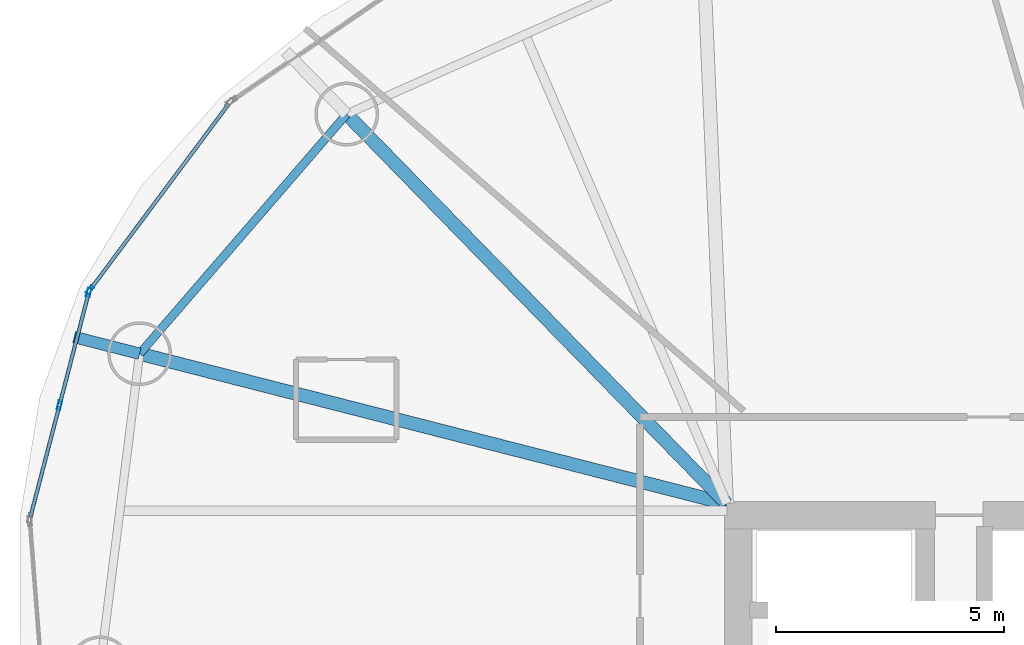
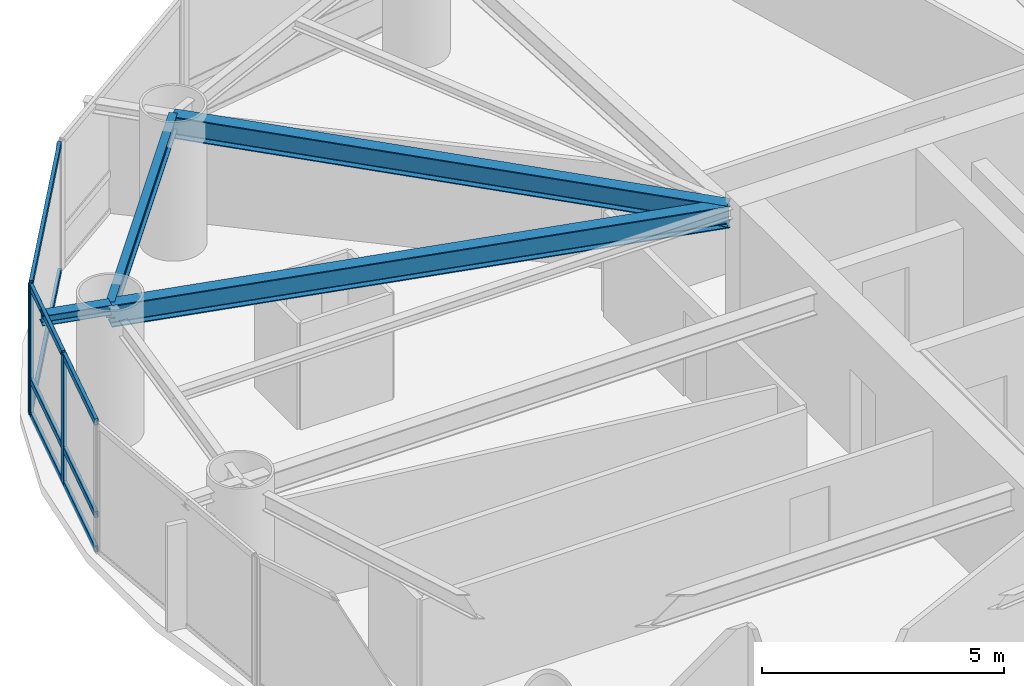
# One storey, part 13 of 22: 11 members, 4 beams, 2 elements without a shape of their own.
"""IFC4 building model written with IfcOpenShell, lengths in metres."""

from ifc_helpers import new_model, si_unit, direction, frame, origin, origin_2d, place, context, subcontext, project, spatial, hollow_rectangle, i_section, extrude, material, layer, layer_set, material_profile, profile_set, type_object, element, aggregate, save


model = new_model("IFC4")

# Units and contexts
model_context = context("Model", 3, precision=1e-05, world=origin(), true_north=direction((0.0, 1.0)))
body_context = subcontext(model_context, "Body", "Model", "MODEL_VIEW")
ifc_project = project(units=[si_unit("LENGTHUNIT", "METRE"), si_unit("AREAUNIT", "SQUARE_METRE"), si_unit("VOLUMEUNIT", "CUBIC_METRE"), si_unit("PLANEANGLEUNIT", "RADIAN"), si_unit("MASSUNIT", "GRAM", prefix="KILO")], contexts=[model_context])

# Site, building, storey
site_placement = place(None, origin())
site = spatial("IfcSite", under=ifc_project, at=site_placement, CompositionType="ELEMENT")
building_placement = place(site_placement, origin())
building = spatial("IfcBuilding", under=site, at=building_placement, Name="Bramvorn Convention Spire", CompositionType="ELEMENT")
storey_placement = place(building_placement, frame((0.0, 0.0, 134.300048828125)))
storey = spatial("IfcBuildingStorey", under=building, at=storey_placement, Name="L33", CompositionType="ELEMENT", Elevation=134.300048828125)

# Beams
ifc_material_1 = material(Name="Steel CSA G40.21 Grade 350 (350W)", Category="steel")
ifc_material_profile_1 = material_profile(ifc_material_1, i_section(OverallWidth=0.25390625, OverallDepth=0.2529296875, WebThickness=0.008544921875, FlangeThickness=0.01416015625, FilletRadius=0.011962890625, at=origin_2d()))
ifc_profile_set_1 = profile_set([ifc_material_profile_1], Name="Steel CSA G40.21 Grade 350 (350W) - W250X73")
beam_type_1 = type_object("IfcBeamType", Name="BM-W250X73", PredefinedType="BEAM", material=ifc_profile_set_1)
beam_1_placement = place(storey_placement, frame((13.88232421875, 36.73779296875, 3.133544921875), z_axis=(-0.968869810222, 0.247570779457, 0.0), x_axis=(-0.247570779457, -0.968869810222, 0.0)))
element("IfcBeam", 1, at=beam_1_placement, inside=storey, type_object=beam_type_1, Name="L33 slab-edge cantilever tip beam MC09", PredefinedType="BEAM", context=body_context, shape_type="SweptSolid", body=[
    extrude(i_section(OverallWidth=0.25390625, OverallDepth=0.2529296875, WebThickness=0.008544921875, FlangeThickness=0.01416015625, FilletRadius=0.011962890625, at=origin_2d()), origin(), (0.0, 0.0, 1.0), 1.482177734375),
])
ifc_material_profile_2 = material_profile(ifc_material_1, i_section(OverallWidth=0.180908203125, OverallDepth=0.4169921875, WebThickness=0.010986328125, FlangeThickness=0.018310546875, FilletRadius=0.01611328125, at=origin_2d()))
ifc_profile_set_2 = profile_set([ifc_material_profile_2], Name="Steel CSA G40.21 Grade 350 (350W) - W410X85")
beam_type_2 = type_object("IfcBeamType", Name="BM-W410X85", PredefinedType="JOIST", material=ifc_profile_set_2)
beam_2_placement = place(storey_placement, frame((18.420166015625, 41.9892578125, 3.051513671875), z_axis=(-0.653824993824, -0.756645807132, 0.0), x_axis=(0.756645807132, -0.653824993824, 0.0)))
element("IfcBeam", 2, at=beam_2_placement, inside=storey, type_object=beam_type_2, Name="L33 mega-column ring beam 08", PredefinedType="JOIST", context=body_context, shape_type="SweptSolid", body=[
    extrude(i_section(OverallWidth=0.180908203125, OverallDepth=0.4169921875, WebThickness=0.010986328125, FlangeThickness=0.018310546875, FilletRadius=0.01611328125, at=origin_2d()), origin(), (0.0, 0.0, 1.0), 6.9404296875),
])
ifc_material_profile_3 = material_profile(ifc_material_1, i_section(OverallWidth=0.2919921875, OverallDepth=0.551025390625, WebThickness=0.01513671875, FlangeThickness=0.0244140625, FilletRadius=0.01904296875, at=origin_2d()))
ifc_profile_set_3 = profile_set([ifc_material_profile_3], Name="Steel CSA G40.21 Grade 350 (350W) - W530X182")
beam_type_3 = type_object("IfcBeamType", Name="BM-W530X182", PredefinedType="BEAM", material=ifc_profile_set_3)
beam_3_placement = place(storey_placement, frame((26.75, 33.449951171875, 2.984375), z_axis=(-0.698272445638, 0.715832097397, 0.0), x_axis=(-0.715832097397, -0.698272445638, 0.0)))
element("IfcBeam", 3, at=beam_3_placement, inside=storey, type_object=beam_type_3, Name="L33 radial floor girder MC08", PredefinedType="BEAM", context=body_context, shape_type="SweptSolid", body=[
    extrude(i_section(OverallWidth=0.2919921875, OverallDepth=0.551025390625, WebThickness=0.01513671875, FlangeThickness=0.0244140625, FilletRadius=0.01904296875, at=origin_2d()), origin(), (0.0, 0.0, 1.0), 11.92919921875),
])
beam_4_placement = place(storey_placement, frame((26.75, 33.449951171875, 2.984375), z_axis=(-0.968872976577, 0.247558387576, 0.0), x_axis=(-0.247558387576, -0.968872976577, 0.0)))
element("IfcBeam", 4, at=beam_4_placement, inside=storey, type_object=beam_type_3, Name="L33 radial floor girder MC09", PredefinedType="BEAM", context=body_context, shape_type="SweptSolid", body=[
    extrude(i_section(OverallWidth=0.2919921875, OverallDepth=0.551025390625, WebThickness=0.01513671875, FlangeThickness=0.0244140625, FilletRadius=0.01904296875, at=origin_2d()), origin(), (0.0, 0.0, 1.0), 13.281005859375),
])

# Curtain wall, member
ifc_material_2 = material(Name="Anodised Bronze Unitised Curtain Wall", Category="aluminium")
ifc_layer = layer(ifc_material_2, 0.179931640625)
ifc_layer_set = layer_set([ifc_layer], Name="Anodised Bronze Unitised Curtain Wall - CW-HTL-FRIT")
curtain_wall_type = type_object("IfcCurtainWallType", Name="CW-HTL-FRIT", PredefinedType="USERDEFINED", material=ifc_layer_set)
curtain_wall_1_placement = place(storey_placement, origin())
curtain_wall_1 = element("IfcCurtainWall", 5, at=curtain_wall_1_placement, inside=storey, type_object=curtain_wall_type, Name="L33 fritted glass curtain wall 12", ObjectType="UNITISED CURTAIN WALL", PredefinedType="USERDEFINED")
ifc_material_3 = material(Name="Anodised Bronze Aluminium 6063-T6", Category="aluminium")
ifc_material_profile_4 = material_profile(ifc_material_3, hollow_rectangle(XDim=0.080078125, YDim=0.199951171875, WallThickness=0.00390625, InnerFilletRadius=0.0009765625, OuterFilletRadius=0.00390625, at=origin_2d()))
ifc_profile_set_4 = profile_set([ifc_material_profile_4], Name="Anodised Bronze Aluminium 6063-T6 - CWM80X200")
member_type_1 = type_object("IfcMemberType", Name="CW-MUL-180", PredefinedType="MULLION", material=ifc_profile_set_4)
member_1_placement = place(storey_placement, frame((12.795166015625, 38.1357421875, 0.0), z_axis=(0.0, 0.0, 1.0), x_axis=(-0.801474866207, 0.598028459891, 0.0)))
member_1 = element("IfcMember", 6, at=member_1_placement, type_object=member_type_1, Name="CW2 mullion 1", PredefinedType="MULLION", context=body_context, shape_type="SweptSolid", body=[
    extrude(hollow_rectangle(XDim=0.080078125, YDim=0.199951171875, WallThickness=0.00390625, InnerFilletRadius=0.0009765625, OuterFilletRadius=0.00390625, at=origin_2d()), origin(), (0.0, 0.0, 1.0), 3.260009765625),
])

# Curtain wall, members
curtain_wall_2_placement = place(storey_placement, origin())
curtain_wall_2 = element("IfcCurtainWall", 7, at=curtain_wall_2_placement, inside=storey, type_object=curtain_wall_type, Name="L33 fritted glass curtain wall 13", ObjectType="UNITISED CURTAIN WALL", PredefinedType="USERDEFINED")
member_2_placement = place(storey_placement, frame((12.12646484375, 35.60791015625, 0.0), z_axis=(0.0, 0.0, 1.0), x_axis=(-0.967834460542, 0.251587871305, 0.0)))
member_2 = element("IfcMember", 8, at=member_2_placement, type_object=member_type_1, Name="CW2 mullion 2", PredefinedType="MULLION", context=body_context, shape_type="SweptSolid", body=[
    extrude(hollow_rectangle(XDim=0.080078125, YDim=0.199951171875, WallThickness=0.00390625, InnerFilletRadius=0.0009765625, OuterFilletRadius=0.00390625, at=origin_2d()), origin(), (0.0, 0.0, 1.0), 3.260009765625),
])
member_3_placement = place(storey_placement, frame((12.769775390625, 38.082763671875, 0.0), z_axis=(0.0, 0.0, 1.0), x_axis=(-0.967834460542, 0.251587871305, 0.0)))
member_3 = element("IfcMember", 9, at=member_3_placement, type_object=member_type_1, Name="CW2 mullion 3", PredefinedType="MULLION", context=body_context, shape_type="SweptSolid", body=[
    extrude(hollow_rectangle(XDim=0.080078125, YDim=0.199951171875, WallThickness=0.00390625, InnerFilletRadius=0.0009765625, OuterFilletRadius=0.00390625, at=origin_2d()), origin(), (0.0, 0.0, 1.0), 3.260009765625),
])

# Member
ifc_material_profile_5 = material_profile(ifc_material_3, hollow_rectangle(XDim=0.080078125, YDim=0.159912109375, WallThickness=0.00390625, InnerFilletRadius=0.0009765625, OuterFilletRadius=0.00390625, at=origin_2d()))
ifc_profile_set_5 = profile_set([ifc_material_profile_5], Name="Anodised Bronze Aluminium 6063-T6 - CWT80X160")
member_type_2 = type_object("IfcMemberType", Name="CW-TRN-150", PredefinedType="USERDEFINED", material=ifc_profile_set_5)
member_4_placement = place(storey_placement, frame((12.813232421875, 38.159912109375, 0.030029296875), z_axis=(0.598050608614, 0.801458339239, 0.0), x_axis=(-0.801458339239, 0.598050608614, 0.0)))
member_4 = element("IfcMember", 10, at=member_4_placement, type_object=member_type_2, Name="CW2 transom 1.1", ObjectType="TRANSOM", PredefinedType="USERDEFINED", context=body_context, shape_type="SweptSolid", body=[
    extrude(hollow_rectangle(XDim=0.080078125, YDim=0.159912109375, WallThickness=0.00390625, InnerFilletRadius=0.0009765625, OuterFilletRadius=0.00390625, at=origin_2d()), origin(), (0.0, 0.0, 1.0), 5.05419921875),
])

member_5_placement = place(storey_placement, frame((12.813232421875, 38.159912109375, 3.22998046875), z_axis=(0.598050608614, 0.801458339239, 0.0), x_axis=(-0.801458339239, 0.598050608614, 0.0)))
member_5 = element("IfcMember", 11, at=member_5_placement, type_object=member_type_2, Name="CW2 transom 1.2", ObjectType="TRANSOM", PredefinedType="USERDEFINED", context=body_context, shape_type="SweptSolid", body=[
    extrude(hollow_rectangle(XDim=0.080078125, YDim=0.159912109375, WallThickness=0.00390625, InnerFilletRadius=0.0009765625, OuterFilletRadius=0.00390625, at=origin_2d()), origin(), (0.0, 0.0, 1.0), 5.05419921875),
])

aggregate(curtain_wall_1, [member_1, member_4, member_5])

member_6_placement = place(storey_placement, frame((11.490478515625, 33.161865234375, 0.030029296875), z_axis=(0.251633851765, 0.967822506788, 0.0), x_axis=(-0.967822506788, 0.251633851765, 0.0)))
member_6 = element("IfcMember", 12, at=member_6_placement, type_object=member_type_2, Name="CW2 transom 1.1", ObjectType="TRANSOM", PredefinedType="USERDEFINED", context=body_context, shape_type="SweptSolid", body=[
    extrude(hollow_rectangle(XDim=0.080078125, YDim=0.159912109375, WallThickness=0.00390625, InnerFilletRadius=0.0009765625, OuterFilletRadius=0.00390625, at=origin_2d()), origin(), (0.0, 0.0, 1.0), 2.497314453125),
])

member_7_placement = place(storey_placement, frame((11.490478515625, 33.161865234375, 0.89990234375), z_axis=(0.251633851765, 0.967822506788, 0.0), x_axis=(-0.967822506788, 0.251633851765, 0.0)))
member_7 = element("IfcMember", 13, at=member_7_placement, type_object=member_type_2, Name="CW2 transom 1.2", ObjectType="TRANSOM", PredefinedType="USERDEFINED", context=body_context, shape_type="SweptSolid", body=[
    extrude(hollow_rectangle(XDim=0.080078125, YDim=0.159912109375, WallThickness=0.00390625, InnerFilletRadius=0.0009765625, OuterFilletRadius=0.00390625, at=origin_2d()), origin(), (0.0, 0.0, 1.0), 2.497314453125),
])

member_8_placement = place(storey_placement, frame((11.490478515625, 33.161865234375, 3.22998046875), z_axis=(0.251633851765, 0.967822506788, 0.0), x_axis=(-0.967822506788, 0.251633851765, 0.0)))
member_8 = element("IfcMember", 14, at=member_8_placement, type_object=member_type_2, Name="CW2 transom 1.3", ObjectType="TRANSOM", PredefinedType="USERDEFINED", context=body_context, shape_type="SweptSolid", body=[
    extrude(hollow_rectangle(XDim=0.080078125, YDim=0.159912109375, WallThickness=0.00390625, InnerFilletRadius=0.0009765625, OuterFilletRadius=0.00390625, at=origin_2d()), origin(), (0.0, 0.0, 1.0), 2.497314453125),
])

member_9_placement = place(storey_placement, frame((12.134033203125, 35.636962890625, 0.030029296875), z_axis=(0.251566081465, 0.967840124533, 0.0), x_axis=(-0.967840124533, 0.251566081465, 0.0)))
member_9 = element("IfcMember", 15, at=member_9_placement, type_object=member_type_2, Name="CW2 transom 2.1", ObjectType="TRANSOM", PredefinedType="USERDEFINED", context=body_context, shape_type="SweptSolid", body=[
    extrude(hollow_rectangle(XDim=0.080078125, YDim=0.159912109375, WallThickness=0.00390625, InnerFilletRadius=0.0009765625, OuterFilletRadius=0.00390625, at=origin_2d()), origin(), (0.0, 0.0, 1.0), 2.4970703125),
])

member_10_placement = place(storey_placement, frame((12.134033203125, 35.636962890625, 0.89990234375), z_axis=(0.251566081465, 0.967840124533, 0.0), x_axis=(-0.967840124533, 0.251566081465, 0.0)))
member_10 = element("IfcMember", 16, at=member_10_placement, type_object=member_type_2, Name="CW2 transom 2.2", ObjectType="TRANSOM", PredefinedType="USERDEFINED", context=body_context, shape_type="SweptSolid", body=[
    extrude(hollow_rectangle(XDim=0.080078125, YDim=0.159912109375, WallThickness=0.00390625, InnerFilletRadius=0.0009765625, OuterFilletRadius=0.00390625, at=origin_2d()), origin(), (0.0, 0.0, 1.0), 2.4970703125),
])

member_11_placement = place(storey_placement, frame((12.134033203125, 35.636962890625, 3.22998046875), z_axis=(0.251566081465, 0.967840124533, 0.0), x_axis=(-0.967840124533, 0.251566081465, 0.0)))
member_11 = element("IfcMember", 17, at=member_11_placement, type_object=member_type_2, Name="CW2 transom 2.3", ObjectType="TRANSOM", PredefinedType="USERDEFINED", context=body_context, shape_type="SweptSolid", body=[
    extrude(hollow_rectangle(XDim=0.080078125, YDim=0.159912109375, WallThickness=0.00390625, InnerFilletRadius=0.0009765625, OuterFilletRadius=0.00390625, at=origin_2d()), origin(), (0.0, 0.0, 1.0), 2.4970703125),
])

aggregate(curtain_wall_2, [member_2, member_3, member_6, member_7, member_8, member_9, member_10, member_11])

save(model, "model.ifc")
